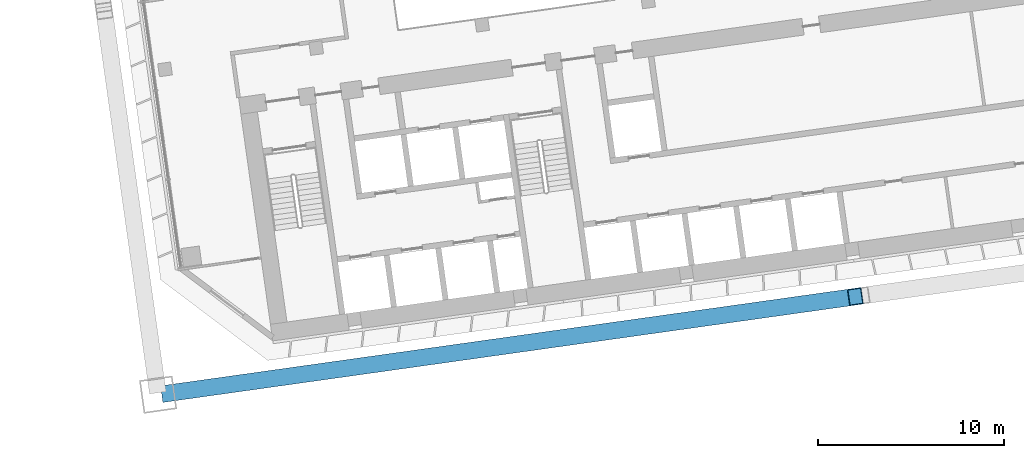
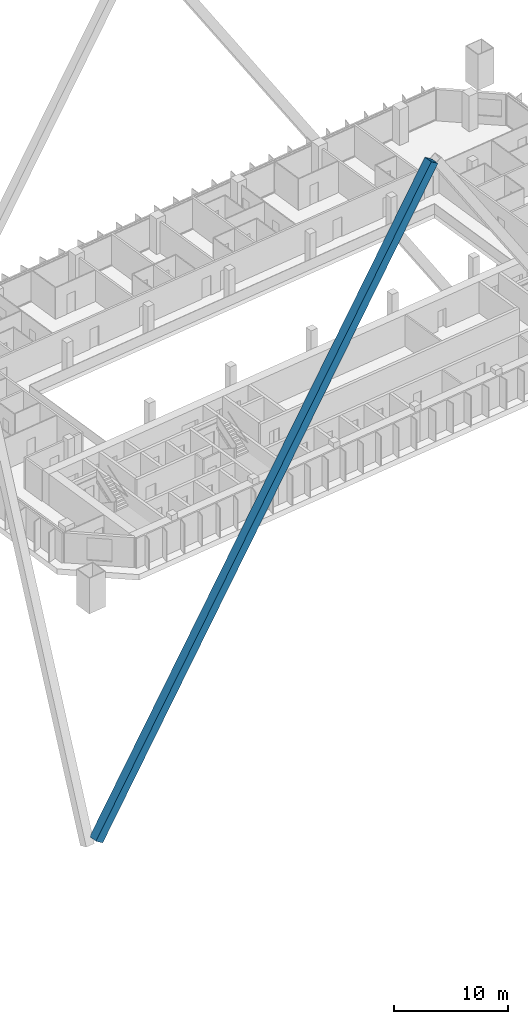
# One storey, part 22 of 49: 1 member.
"""IFC4 building model written with IfcOpenShell, lengths in metres."""

from ifc_helpers import new_model, si_unit, direction, frame, origin, origin_2d, place, context, subcontext, project, spatial, hollow_rectangle, extrude, material, material_profile, profile_set, type_object, element, save


model = new_model("IFC4")

# Units and contexts
model_context = context("Model", 3, precision=1e-05, world=origin(), true_north=direction((0.0, 1.0)))
body_context = subcontext(model_context, "Body", "Model", "MODEL_VIEW")
ifc_project = project(units=[si_unit("LENGTHUNIT", "METRE"), si_unit("AREAUNIT", "SQUARE_METRE"), si_unit("VOLUMEUNIT", "CUBIC_METRE"), si_unit("PLANEANGLEUNIT", "RADIAN"), si_unit("MASSUNIT", "GRAM", prefix="KILO")], contexts=[model_context])

# Site, building, storey
site_placement = place(None, origin())
site = spatial("IfcSite", under=ifc_project, at=site_placement, CompositionType="ELEMENT")
building_placement = place(site_placement, origin())
building = spatial("IfcBuilding", under=site, at=building_placement, Name="Mirante Cascada Hotel Towers", CompositionType="ELEMENT")
storey_placement = place(building_placement, frame((0.0, 0.0, 66.1)))
storey = spatial("IfcBuildingStorey", under=building, at=storey_placement, Name="L13", CompositionType="ELEMENT", Elevation=66.1)

# Member
ifc_material = material(Name="Steel ASTM A572 Gr 50", Category="steel")
ifc_material_profile = material_profile(ifc_material, hollow_rectangle(XDim=0.9, YDim=0.9, WallThickness=0.045, at=origin_2d()), Name="Box brace 900x900x45 ASTM A572 Gr 50")
ifc_profile_set = profile_set([ifc_material_profile], Name="Steel ASTM A572 Gr 50")
member_type = type_object("IfcMemberType", Name="Box brace 900x900x45 ASTM A572 Gr 50", PredefinedType="BRACE", material=ifc_profile_set)
member_placement = place(storey_placement, frame((31.5107, -22.9941, -25.2549), z_axis=(0.5445943, 0.0765389, 0.8351999), x_axis=(-0.1391752, 0.9902678, 0.0)))
element("IfcMember", 1, at=member_placement, inside=storey, type_object=member_type, Name="brace T2 L13 3", PredefinedType="BRACE", context=body_context, shape_type="SweptSolid", body=[
    extrude(hollow_rectangle(XDim=0.9, YDim=0.9, WallThickness=0.045, at=origin_2d()), origin(), (0.0, 0.0, 1.0), 67.7172),
])

save(model, "model.ifc")
